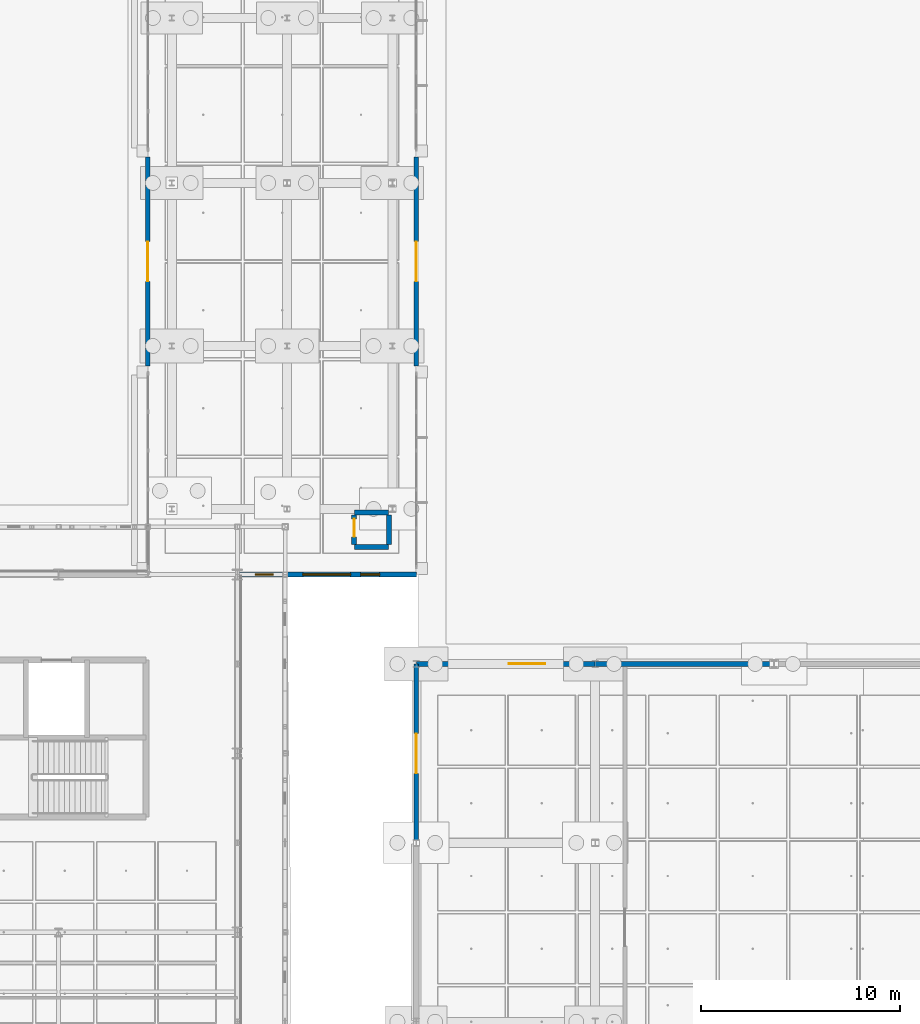
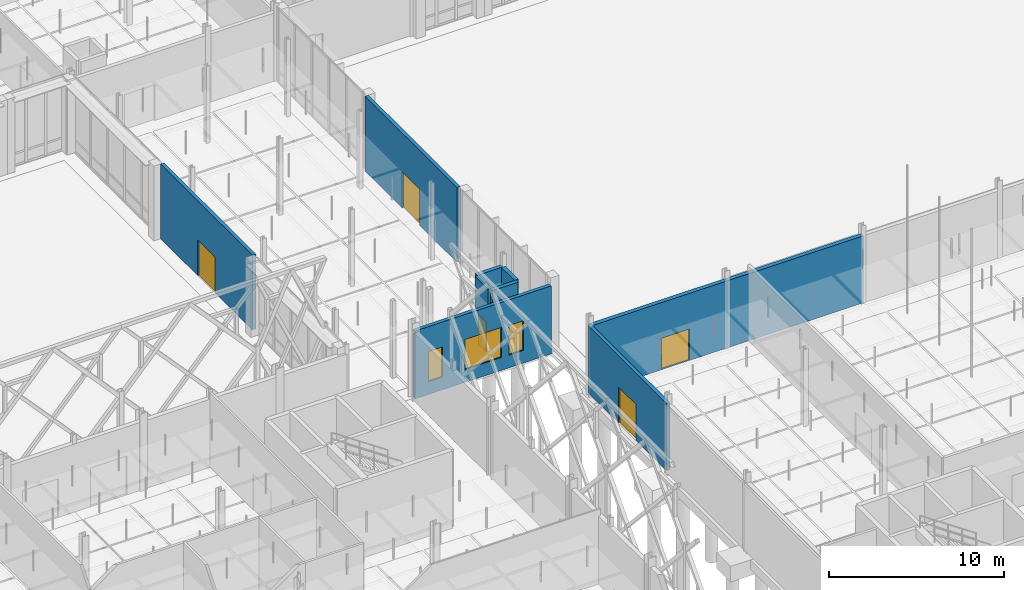
# One storey, part 97 of 180: 10 walls, 5 doors, 3 windows, 8 openings.
"""IFC4 building model written with IfcOpenShell, lengths in metres."""

import ifcopenshell
import ifcopenshell.guid

model = None  # the IFC model being written
_history = None  # IfcOwnerHistory: only IFC2X3 demands one
_inside = {}  # id of a spatial element -> (the spatial element, [elements in it])
_under = {}  # id of a project, library or spatial element -> (it, [spatial elements below it])
_declared = {}  # id of a project -> (the project, [libraries it declares])
_typed = {}  # id of a type object -> (the type object, [elements of that type])
_made_of = {}  # id of a material, layer set ... -> (it, [elements and type objects made of it])


def new_model(schema):
    """Start an empty IFC model of exactly this schema.

    Asked for "IFC4X3", IfcOpenShell would pick the latest addendum, in which some entities
    have other attributes; the version numbers below select the first issue.
    IFC2X3 requires an IfcOwnerHistory on every rooted entity: one is made here for all.
    """
    global model, _history
    if schema == "IFC4X3":
        model = ifcopenshell.file(schema_version=(4, 3, 0, 0))
    else:
        model = ifcopenshell.file(schema=schema)
    _inside.clear()
    _under.clear()
    _declared.clear()
    _typed.clear()
    _made_of.clear()
    _history = None
    if model.schema == "IFC2X3":
        org = make("IfcOrganization", Name="unknown")
        user = make(
            "IfcPersonAndOrganization",
            ThePerson=make("IfcPerson", FamilyName="unknown"),
            TheOrganization=org,
        )
        app = make(
            "IfcApplication",
            ApplicationDeveloper=org,
            Version="unknown",
            ApplicationFullName="unknown",
            ApplicationIdentifier="unknown",
        )
        _history = make(
            "IfcOwnerHistory",
            OwningUser=user,
            OwningApplication=app,
            ChangeAction="ADDED",
            CreationDate=0,
        )
    return model


def make(cls, **values):
    """One entity of the class cls with the attributes given. An attribute that is None is left unset."""
    return model.create_entity(
        cls, **{name: value for name, value in values.items() if value is not None}
    )


def rooted(cls, **values):
    """An entity with a GlobalId (a new one), such as an element, a storey or a relation."""
    return make(cls, GlobalId=ifcopenshell.guid.new(), OwnerHistory=_history, **values)


def si_unit(unit_type, name, prefix=None):
    """IfcSIUnit, for example si_unit("LENGTHUNIT", "METRE", prefix="MILLI")."""
    return make("IfcSIUnit", UnitType=unit_type, Prefix=prefix, Name=name)


def assignment(units):
    """IfcUnitAssignment: the units of a project."""
    return None if units is None else make("IfcUnitAssignment", Units=units)


def point(xyz):
    """IfcCartesianPoint."""
    return None if xyz is None else make("IfcCartesianPoint", Coordinates=xyz)


def direction(xyz):
    """IfcDirection."""
    return None if xyz is None else make("IfcDirection", DirectionRatios=xyz)


def frame(location, z_axis=None, x_axis=None):
    """IfcAxis2Placement3D, a coordinate frame: its origin and axes. An axis left out is left unset."""
    return make(
        "IfcAxis2Placement3D",
        Location=point(location),
        Axis=direction(z_axis),
        RefDirection=direction(x_axis),
    )


def frame_2d(location, x_axis=None):
    """IfcAxis2Placement2D, a coordinate frame in the plane: its origin and x axis."""
    return make(
        "IfcAxis2Placement2D", Location=point(location), RefDirection=direction(x_axis)
    )


def origin():
    """The frame at (0, 0, 0) with its axes left unset."""
    return frame((0.0, 0.0, 0.0))


def place(relative_to, where):
    """IfcLocalPlacement: puts the frame where relative to a parent placement (None: the world)."""
    return make(
        "IfcLocalPlacement", PlacementRelTo=relative_to, RelativePlacement=where
    )


def context(
    kind, dimensions, precision=None, world=None, true_north=None, identifier=None
):
    """IfcGeometricRepresentationContext, for example the 3D "Model" context."""
    return make(
        "IfcGeometricRepresentationContext",
        ContextIdentifier=identifier,
        ContextType=kind,
        CoordinateSpaceDimension=dimensions,
        Precision=precision,
        WorldCoordinateSystem=world,
        TrueNorth=true_north,
    )


def subcontext(parent, identifier, kind, view, scale=None):
    """IfcGeometricRepresentationSubContext, for example "Body" below "Model"."""
    return make(
        "IfcGeometricRepresentationSubContext",
        ContextIdentifier=identifier,
        ContextType=kind,
        ParentContext=parent,
        TargetScale=scale,
        TargetView=view,
    )


def project(units=None, contexts=None):
    """IfcProject with its units and contexts."""
    return rooted(
        "IfcProject",
        Name="project",
        RepresentationContexts=contexts,
        UnitsInContext=assignment(units),
    )


def spatial(cls, under=None, at=None, **own):
    """A site, building, storey or space (cls), placed at a placement, below another one or the project."""
    s = rooted(cls, ObjectPlacement=at, **own)
    if under is not None:
        _under.setdefault(under.id(), (under, []))[1].append(s)
    return s


def profile(cls, at=None, kind="AREA", **sizes):
    """A parametric profile (cls). Its sizes go by their IFC names, for example OverallWidth=200.0."""
    return make(cls, ProfileType=kind, Position=at, **sizes)


def rectangle(**sizes):
    """IfcRectangleProfileDef."""
    return profile("IfcRectangleProfileDef", **sizes)


def extrude(swept, where, along, depth):
    """IfcExtrudedAreaSolid: the profile swept, set in the frame where, extruded along a direction by depth."""
    return make(
        "IfcExtrudedAreaSolid",
        SweptArea=swept,
        Position=where,
        ExtrudedDirection=direction(along),
        Depth=depth,
    )


def shape(context_of_items, identifier, shape_type, items):
    """IfcShapeRepresentation: the items that make up one representation, for example the "Body"."""
    return make(
        "IfcShapeRepresentation",
        ContextOfItems=context_of_items,
        RepresentationIdentifier=identifier,
        RepresentationType=shape_type,
        Items=items,
    )


def material(Name=None, Category=None):
    """IfcMaterial."""
    return make("IfcMaterial", Name=Name, Category=Category)


def layer(
    of_material, thickness, ventilated=None, Name=None, Category=None, Priority=None
):
    """IfcMaterialLayer: one layer of a wall or slab, of a material (None: an air gap)."""
    return make(
        "IfcMaterialLayer",
        Material=of_material,
        LayerThickness=thickness,
        IsVentilated=ventilated,
        Name=Name,
        Category=Category,
        Priority=Priority,
    )


def layer_set(layers, Name=None):
    """IfcMaterialLayerSet."""
    return make("IfcMaterialLayerSet", MaterialLayers=layers, LayerSetName=Name)


def made_of(thing, what):
    """Note that an element or type object is made of a material, layer set ...; save() writes the relation."""
    if what is not None:
        _made_of.setdefault(what.id(), (what, []))[1].append(thing)
    return thing


def type_object(cls, material=None, **own):
    """A type object (cls), such as IfcWallType, which elements share."""
    return made_of(rooted(cls, **own), material)


def element(
    cls,
    number,
    at=None,
    inside=None,
    cuts=None,
    type_object=None,
    material=None,
    context=None,
    identifier="Body",
    shape_type=None,
    held_by="IfcProductDefinitionShape",
    body=None,
    shapes=None,
    **own,
):
    """One element of the class cls, such as IfcWall. Its Tag is "e" and its number.

    at: its placement. inside: the storey or other place that contains it. cuts: it is an
    opening in that element (IfcRelVoidsElement). A single representation is given by context,
    identifier, shape_type and body (its items); several are given by shapes. held_by: the class
    of the entity that holds the representations. save() writes the other relations.
    """
    e = rooted(cls, Tag="e%d" % number, ObjectPlacement=at, **own)
    if body is not None:
        shapes = [shape(context, identifier, shape_type, body)]
    if shapes is not None:
        e.Representation = make(held_by, Representations=shapes)
    if inside is not None:
        _inside.setdefault(inside.id(), (inside, []))[1].append(e)
    if cuts is not None:
        rooted(
            "IfcRelVoidsElement", RelatingBuildingElement=cuts, RelatedOpeningElement=e
        )
    if type_object is not None:
        _typed.setdefault(type_object.id(), (type_object, []))[1].append(e)
    return made_of(e, material)


def fill(opening, filler):
    """IfcRelFillsElement: the door or window that sits in an opening."""
    return rooted(
        "IfcRelFillsElement",
        RelatingOpeningElement=opening,
        RelatedBuildingElement=filler,
    )


def aggregate(whole, parts):
    """IfcRelAggregates: a whole, such as a stair, and the parts it consists of."""
    return rooted("IfcRelAggregates", RelatingObject=whole, RelatedObjects=parts)


def save(model, path):
    """Write the relations noted so far, then the file.

    IfcRelAggregates (storeys below a building ...), IfcRelContainedInSpatialStructure (elements
    in a storey), IfcRelDefinesByType, IfcRelAssociatesMaterial and IfcRelDeclares: one each for
    every whole, place, type object, material and project.
    """
    for whole, parts in _under.values():
        aggregate(whole, parts)
    for where, things in _inside.values():
        rooted(
            "IfcRelContainedInSpatialStructure",
            RelatedElements=things,
            RelatingStructure=where,
        )
    for kind, things in _typed.values():
        rooted("IfcRelDefinesByType", RelatedObjects=things, RelatingType=kind)
    for what, things in _made_of.values():
        rooted("IfcRelAssociatesMaterial", RelatedObjects=things, RelatingMaterial=what)
    for by, libraries in _declared.values():
        rooted("IfcRelDeclares", RelatingContext=by, RelatedDefinitions=libraries)
    model.write(path)


model = new_model("IFC4")

# Units and contexts
model_context = context("Model", 3, precision=1e-05, world=origin(), true_north=direction((0.0, 1.0)))
body_context = subcontext(model_context, "Body", "Model", "MODEL_VIEW")
ifc_project = project(units=[si_unit("LENGTHUNIT", "METRE"), si_unit("AREAUNIT", "SQUARE_METRE"), si_unit("VOLUMEUNIT", "CUBIC_METRE"), si_unit("PLANEANGLEUNIT", "RADIAN"), si_unit("MASSUNIT", "GRAM", prefix="KILO"), si_unit("THERMODYNAMICTEMPERATUREUNIT", "KELVIN"), si_unit("POWERUNIT", "WATT")], contexts=[model_context])

# Site, building, storey
site_placement = place(None, origin())
site = spatial("IfcSite", under=ifc_project, at=site_placement, CompositionType="ELEMENT")
building_placement = place(site_placement, origin())
building = spatial("IfcBuilding", under=site, at=building_placement, Name="Tallowbark Science Centre", CompositionType="ELEMENT")
storey_placement = place(building_placement, origin())
storey = spatial("IfcBuildingStorey", under=building, at=storey_placement, Name="L00", CompositionType="ELEMENT", Elevation=0.0)

# Wall, opening, door
ifc_material_1 = material(Name="Hawkesbury Sandstone Faced Masonry Cavity Wall", Category="masonry")
ifc_layer_1 = layer(ifc_material_1, 0.22998046875)
ifc_layer_set_1 = layer_set([ifc_layer_1], Name="Hawkesbury Sandstone Faced Masonry Cavity Wall")
wall_type_1 = type_object("IfcWallType", Name="EWL-MAS-230", PredefinedType="STANDARD", material=ifc_layer_set_1)
wall_1_placement = place(storey_placement, frame((112.5, 36.0, 0.0), z_axis=(0.0, 0.0, 1.0), x_axis=(0.0, -1.0, 0.0)))
wall_1 = element("IfcWall", 1, at=wall_1_placement, inside=storey, type_object=wall_type_1, Name="Exterior Wall THT-W-L00-3", PredefinedType="STANDARD", context=body_context, shape_type="SweptSolid", body=[
    extrude(rectangle(XDim=9.0, YDim=0.22998046875, at=frame_2d((4.5, 0.0))), origin(), (0.0, 0.0, 1.0), 4.68115234375),
])
opening_1_placement = place(wall_1_placement, frame((3.5, 0.0, 0.0)))
opening_1 = element("IfcOpeningElement", 2, at=opening_1_placement, cuts=wall_1, Name="Opening ED-02", PredefinedType="OPENING", context=body_context, shape_type="SweptSolid", body=[
    extrude(rectangle(XDim=2.0, YDim=2.5, at=frame_2d((1.0, 1.25))), frame((0.0, 0.125, 0.0), z_axis=(0.0, -1.0, 0.0), x_axis=(1.0, 0.0, 0.0)), (0.0, 0.0, 1.0), 0.25),
])
ifc_material_2 = material(Name="Thermally Broken Glazed Aluminium Frame", Category="aluminium")
door_type_1 = type_object("IfcDoorType", Name="EDR-GLZ-200", OperationType="DOUBLE_DOOR_SINGLE_SWING", PredefinedType="DOOR", material=ifc_material_2)
door_1_placement = place(opening_1_placement, origin())
door_1 = element("IfcDoor", 3, at=door_1_placement, inside=storey, type_object=door_type_1, Name="Exterior Door EDR-L00-020", OperationType="DOUBLE_DOOR_SINGLE_SWING", OverallHeight=2.5, OverallWidth=2.0, PredefinedType="DOOR", context=body_context, shape_type="SweptSolid", body=[
    extrude(rectangle(XDim=2.0, YDim=2.5, at=frame_2d((1.0, 1.25))), frame((0.0, 0.02490234375, 0.0), z_axis=(0.0, -1.0, 0.0), x_axis=(1.0, 0.0, 0.0)), (0.0, 0.0, 1.0), 0.050048828125),
])
fill(opening_1, door_1)

# Wall, openings, windows
wall_2_placement = place(storey_placement, frame((103.5, 40.5, 0.0), z_axis=(0.0, 0.0, 1.0), x_axis=(1.0, 0.0, 0.0)))
wall_2 = element("IfcWall", 4, at=wall_2_placement, inside=storey, type_object=wall_type_1, Name="Exterior Wall LNK-S-L00", PredefinedType="STANDARD", context=body_context, shape_type="SweptSolid", body=[
    extrude(rectangle(XDim=9.0, YDim=0.22998046875, at=frame_2d((4.5, 0.0))), origin(), (0.0, 0.0, 1.0), 4.74609375),
])
opening_2_placement = place(wall_2_placement, frame((3.300048828125, 0.0, 0.89990234375)))
opening_2 = element("IfcOpeningElement", 5, at=opening_2_placement, cuts=wall_2, Name="Opening W-06", PredefinedType="OPENING", context=body_context, shape_type="SweptSolid", body=[
    extrude(rectangle(XDim=2.39990234375, YDim=2.10009765625, at=frame_2d((1.199951171875, 1.050048828125))), frame((0.0, 0.125, 0.0), z_axis=(0.0, -1.0, 0.0), x_axis=(1.0, 0.0, 0.0)), (0.0, 0.0, 1.0), 0.25),
])
opening_3_placement = place(wall_2_placement, frame((0.89990234375, 0.0, 0.89990234375)))
opening_3 = element("IfcOpeningElement", 6, at=opening_3_placement, cuts=wall_2, Name="Opening W-01", PredefinedType="OPENING", context=body_context, shape_type="SweptSolid", body=[
    extrude(rectangle(XDim=0.89990234375, YDim=2.10009765625, at=frame_2d((0.449951171875, 1.050048828125))), frame((0.0, 0.125, 0.0), z_axis=(0.0, -1.0, 0.0), x_axis=(1.0, 0.0, 0.0)), (0.0, 0.0, 1.0), 0.25),
])
opening_4_placement = place(wall_2_placement, frame((6.199951171875, 0.0, 0.89990234375)))
opening_4 = element("IfcOpeningElement", 7, at=opening_4_placement, cuts=wall_2, Name="Opening WS-01", PredefinedType="OPENING", context=body_context, shape_type="SweptSolid", body=[
    extrude(rectangle(XDim=0.949951171875, YDim=2.050048828125, at=frame_2d((0.47509765625, 1.02490234375))), frame((0.0, 0.125, 0.0), z_axis=(0.0, -1.0, 0.0), x_axis=(1.0, 0.0, 0.0)), (0.0, 0.0, 1.0), 0.25),
])
ifc_material_3 = material(Name="Thermally Broken Aluminium and Low-E Double Glazing", Category="aluminium")
window_type_1 = type_object("IfcWindowType", Name="WIN-F090x210", PartitioningType="SINGLE_PANEL", PredefinedType="WINDOW", material=ifc_material_3)
window_1_placement = place(opening_3_placement, origin())
window_1 = element("IfcWindow", 8, at=window_1_placement, inside=storey, type_object=window_type_1, Name="Window XOP-01", OverallHeight=2.10009765625, OverallWidth=0.89990234375, PartitioningType="SINGLE_PANEL", PredefinedType="WINDOW", context=body_context, shape_type="SweptSolid", body=[
    extrude(rectangle(XDim=0.89990234375, YDim=2.10009765625, at=frame_2d((0.449951171875, 1.050048828125))), frame((0.0, 0.030029296875, 0.0), z_axis=(0.0, -1.0, 0.0), x_axis=(1.0, 0.0, 0.0)), (0.0, 0.0, 1.0), 0.06005859375),
])
fill(opening_3, window_1)
window_type_2 = type_object("IfcWindowType", Name="WIN-F240x210", PartitioningType="SINGLE_PANEL", PredefinedType="WINDOW", material=ifc_material_3)
window_2_placement = place(opening_2_placement, origin())
window_2 = element("IfcWindow", 9, at=window_2_placement, inside=storey, type_object=window_type_2, Name="Window WIN-L00-0019", OverallHeight=2.10009765625, OverallWidth=2.39990234375, PartitioningType="SINGLE_PANEL", PredefinedType="WINDOW", context=body_context, shape_type="SweptSolid", body=[
    extrude(rectangle(XDim=2.39990234375, YDim=2.10009765625, at=frame_2d((1.199951171875, 1.050048828125))), frame((0.0, 0.030029296875, 0.0), z_axis=(0.0, -1.0, 0.0), x_axis=(1.0, 0.0, 0.0)), (0.0, 0.0, 1.0), 0.06005859375),
])
fill(opening_2, window_2)
window_type_3 = type_object("IfcWindowType", Name="WIN-SP-095x205", PartitioningType="SINGLE_PANEL", PredefinedType="WINDOW", material=ifc_material_3)
window_3_placement = place(opening_4_placement, origin())
window_3 = element("IfcWindow", 10, at=window_3_placement, inside=storey, type_object=window_type_3, Name="Acoustic Window WSP-01", OverallHeight=2.050048828125, OverallWidth=0.949951171875, PartitioningType="SINGLE_PANEL", PredefinedType="WINDOW", context=body_context, shape_type="SweptSolid", body=[
    extrude(rectangle(XDim=0.949951171875, YDim=2.050048828125, at=frame_2d((0.47509765625, 1.02490234375))), frame((0.0, 0.030029296875, 0.0), z_axis=(0.0, -1.0, 0.0), x_axis=(1.0, 0.0, 0.0)), (0.0, 0.0, 1.0), 0.06005859375),
])
fill(opening_4, window_3)

# Wall, opening, door
wall_3_placement = place(storey_placement, frame((99.0, 61.5, 0.0), z_axis=(0.0, 0.0, 1.0), x_axis=(0.0, -1.0, 0.0)))
wall_3 = element("IfcWall", 11, at=wall_3_placement, inside=storey, type_object=wall_type_1, Name="Exterior Wall LNK-W-L00-1", PredefinedType="STANDARD", context=body_context, shape_type="SweptSolid", body=[
    extrude(rectangle(XDim=10.5, YDim=0.22998046875, at=frame_2d((5.25, 0.0))), origin(), (0.0, 0.0, 1.0), 5.219970703125),
])
opening_5_placement = place(wall_3_placement, frame((4.25, 0.0, 0.0)))
opening_5 = element("IfcOpeningElement", 12, at=opening_5_placement, cuts=wall_3, Name="Opening ED-02", PredefinedType="OPENING", context=body_context, shape_type="SweptSolid", body=[
    extrude(rectangle(XDim=2.0, YDim=2.5, at=frame_2d((1.0, 1.25))), frame((0.0, 0.125, 0.0), z_axis=(0.0, -1.0, 0.0), x_axis=(1.0, 0.0, 0.0)), (0.0, 0.0, 1.0), 0.25),
])
door_2_placement = place(opening_5_placement, origin())
door_2 = element("IfcDoor", 13, at=door_2_placement, inside=storey, type_object=door_type_1, Name="Exterior Door EDR-L00-023", OperationType="DOUBLE_DOOR_SINGLE_SWING", OverallHeight=2.5, OverallWidth=2.0, PredefinedType="DOOR", context=body_context, shape_type="SweptSolid", body=[
    extrude(rectangle(XDim=2.0, YDim=2.5, at=frame_2d((1.0, 1.25))), frame((0.0, 0.02490234375, 0.0), z_axis=(0.0, -1.0, 0.0), x_axis=(1.0, 0.0, 0.0)), (0.0, 0.0, 1.0), 0.050048828125),
])
fill(opening_5, door_2)

wall_4_placement = place(storey_placement, frame((112.5, 51.0, 0.0), z_axis=(0.0, 0.0, 1.0), x_axis=(0.0, 1.0, 0.0)))
wall_4 = element("IfcWall", 14, at=wall_4_placement, inside=storey, type_object=wall_type_1, Name="Exterior Wall LNK-E-L00-1", PredefinedType="STANDARD", context=body_context, shape_type="SweptSolid", body=[
    extrude(rectangle(XDim=10.5, YDim=0.22998046875, at=frame_2d((5.25, 0.0))), origin(), (0.0, 0.0, 1.0), 5.219970703125),
])
opening_6_placement = place(wall_4_placement, frame((4.25, 0.0, 0.0)))
opening_6 = element("IfcOpeningElement", 15, at=opening_6_placement, cuts=wall_4, Name="Opening ED-02", PredefinedType="OPENING", context=body_context, shape_type="SweptSolid", body=[
    extrude(rectangle(XDim=2.0, YDim=2.5, at=frame_2d((1.0, 1.25))), frame((0.0, 0.125, 0.0), z_axis=(0.0, -1.0, 0.0), x_axis=(1.0, 0.0, 0.0)), (0.0, 0.0, 1.0), 0.25),
])
door_3_placement = place(opening_6_placement, origin())
door_3 = element("IfcDoor", 16, at=door_3_placement, inside=storey, type_object=door_type_1, Name="Exterior Door EDR-L00-024", OperationType="DOUBLE_DOOR_SINGLE_SWING", OverallHeight=2.5, OverallWidth=2.0, PredefinedType="DOOR", context=body_context, shape_type="SweptSolid", body=[
    extrude(rectangle(XDim=2.0, YDim=2.5, at=frame_2d((1.0, 1.25))), frame((0.0, 0.02490234375, 0.0), z_axis=(0.0, -1.0, 0.0), x_axis=(1.0, 0.0, 0.0)), (0.0, 0.0, 1.0), 0.050048828125),
])
fill(opening_6, door_3)

ifc_material_4 = material(Name="Insulated Ribbed Precast Concrete Panel Grade N40 (40 MPa)", Category="concrete")
ifc_layer_2 = layer(ifc_material_4, 0.264892578125)
ifc_layer_set_2 = layer_set([ifc_layer_2], Name="Insulated Ribbed Precast Concrete Panel Grade N40 (40 MPa)")
wall_type_2 = type_object("IfcWallType", Name="EWL-PRC-265", PredefinedType="STANDARD", material=ifc_layer_set_2)
wall_5_placement = place(storey_placement, frame((121.5, 36.0, 0.0), z_axis=(0.0, 0.0, 1.0), x_axis=(-1.0, 0.0, 0.0)))
wall_5 = element("IfcWall", 17, at=wall_5_placement, inside=storey, type_object=wall_type_2, Name="Exterior Wall THT-N-L00-0", PredefinedType="STANDARD", context=body_context, shape_type="SweptSolid", body=[
    extrude(rectangle(XDim=9.0, YDim=0.264892578125, at=frame_2d((4.5, 0.0))), origin(), (0.0, 0.0, 1.0), 4.68115234375),
])
opening_7_placement = place(wall_5_placement, frame((2.5, 0.0, 0.0)))
opening_7 = element("IfcOpeningElement", 18, at=opening_7_placement, cuts=wall_5, Name="Opening ED-07", PredefinedType="OPENING", context=body_context, shape_type="SweptSolid", body=[
    extrude(rectangle(XDim=1.85009765625, YDim=2.199951171875, at=frame_2d((0.925048828125, 1.10009765625))), frame((0.0, 0.142578125, 0.0), z_axis=(0.0, -1.0, 0.0), x_axis=(1.0, 0.0, 0.0)), (0.0, 0.0, 1.0), 0.284912109375),
])
ifc_material_5 = material(Name="Powdercoated Galvanised Steel Leaf", Category="steel")
door_type_2 = type_object("IfcDoorType", Name="EDR-ESC-185", OperationType="DOUBLE_DOOR_SINGLE_SWING", PredefinedType="DOOR", material=ifc_material_5)
door_4_placement = place(opening_7_placement, origin())
door_4 = element("IfcDoor", 19, at=door_4_placement, inside=storey, type_object=door_type_2, Name="Exterior Door EDR-L00-014", OperationType="DOUBLE_DOOR_SINGLE_SWING", OverallHeight=2.199951171875, OverallWidth=1.85009765625, PredefinedType="DOOR", context=body_context, shape_type="SweptSolid", body=[
    extrude(rectangle(XDim=1.85009765625, YDim=2.199951171875, at=frame_2d((0.925048828125, 1.10009765625))), frame((0.0, 0.02490234375, 0.0), z_axis=(0.0, -1.0, 0.0), x_axis=(1.0, 0.0, 0.0)), (0.0, 0.0, 1.0), 0.050048828125),
])
fill(opening_7, door_4)

# Walls
wall_6_placement = place(storey_placement, frame((130.5, 36.0, 0.0), z_axis=(0.0, 0.0, 1.0), x_axis=(-1.0, 0.0, 0.0)))
element("IfcWall", 20, at=wall_6_placement, inside=storey, type_object=wall_type_2, Name="Exterior Wall THT-N-L00-1", PredefinedType="STANDARD", context=body_context, shape_type="SweptSolid", body=[
    extrude(rectangle(XDim=9.0, YDim=0.264892578125, at=frame_2d((4.5, 0.0))), origin(), (0.0, 0.0, 1.0), 4.68115234375),
])
ifc_material_6 = material(Name="Concrete Grade N40 (40 MPa)", Category="concrete")
ifc_layer_3 = layer(ifc_material_6, 0.25)
ifc_layer_set_3 = layer_set([ifc_layer_3], Name="Concrete Grade N40 (40 MPa)")
wall_type_3 = type_object("IfcWallType", Name="WL-SHAFT-250", PredefinedType="SHEAR", material=ifc_layer_set_3)
for number, where, z_axis, x_axis, name in (
    (21, (109.39990234375, 41.875, 0.0), (0.0, 0.0, 1.0), (1.0, 0.0, 0.0), "Service Riser Shaft Wall RSR-LNK L00 S"),
    (22, (109.39990234375, 43.625, 0.0), (0.0, 0.0, 1.0), (1.0, 0.0, 0.0), "Service Riser Shaft Wall RSR-LNK L00 N"),
):
    element("IfcWall", number, at=place(storey_placement, frame(where, z_axis=z_axis, x_axis=x_axis)), inside=storey, type_object=wall_type_3, Name=name, PredefinedType="SHEAR", context=body_context, shape_type="SweptSolid", body=[
        extrude(rectangle(XDim=1.7001953125, YDim=0.25, at=frame_2d((0.85009765625, 0.0))), origin(), (0.0, 0.0, 1.0), 4.669921875),
    ])

# Wall, opening, door
wall_7_placement = place(storey_placement, frame((109.375, 42.0, 0.0), z_axis=(0.0, 0.0, 1.0), x_axis=(0.0, 1.0, 0.0)))
wall_7 = element("IfcWall", 23, at=wall_7_placement, inside=storey, type_object=wall_type_3, Name="Service Riser Shaft Wall RSR-LNK L00 W", PredefinedType="SHEAR", context=body_context, shape_type="SweptSolid", body=[
    extrude(rectangle(XDim=1.5, YDim=0.25, at=frame_2d((0.75, 0.0))), origin(), (0.0, 0.0, 1.0), 4.669921875),
])
opening_8_placement = place(wall_7_placement, frame((0.39990234375, 0.0, 0.0)))
opening_8 = element("IfcOpeningElement", 24, at=opening_8_placement, cuts=wall_7, Name="Opening FD-05", PredefinedType="OPENING", context=body_context, shape_type="SweptSolid", body=[
    extrude(rectangle(XDim=0.89990234375, YDim=2.10009765625, at=frame_2d((0.449951171875, 1.050048828125))), frame((0.0, 0.135009765625, 0.0), z_axis=(0.0, -1.0, 0.0), x_axis=(1.0, 0.0, 0.0)), (0.0, 0.0, 1.0), 0.27001953125),
])
ifc_material_7 = material(Name="Fire-Rated Riser Access Door")
door_type_3 = type_object("IfcDoorType", Name="FDR-RIS-090", OperationType="NOTDEFINED", PredefinedType="DOOR", material=ifc_material_7)
door_5_placement = place(opening_8_placement, origin())
door_5 = element("IfcDoor", 25, at=door_5_placement, inside=storey, type_object=door_type_3, Name="Service Riser Access Door 3", OperationType="SINGLE_SWING_LEFT", OverallHeight=2.10009765625, OverallWidth=0.89990234375, PredefinedType="DOOR", context=body_context, shape_type="SweptSolid", body=[
    extrude(rectangle(XDim=0.89990234375, YDim=2.10009765625, at=frame_2d((0.449951171875, 1.050048828125))), frame((0.0, 0.02490234375, 0.0), z_axis=(0.0, -1.0, 0.0), x_axis=(1.0, 0.0, 0.0)), (0.0, 0.0, 1.0), 0.050048828125),
])
fill(opening_8, door_5)

# Wall
wall_8_placement = place(storey_placement, frame((111.125, 42.0, 0.0), z_axis=(0.0, 0.0, 1.0), x_axis=(0.0, 1.0, 0.0)))
element("IfcWall", 26, at=wall_8_placement, inside=storey, type_object=wall_type_3, Name="Service Riser Shaft Wall RSR-LNK L00 E", PredefinedType="SHEAR", context=body_context, shape_type="SweptSolid", body=[
    extrude(rectangle(XDim=1.5, YDim=0.25, at=frame_2d((0.75, 0.0))), origin(), (0.0, 0.0, 1.0), 4.669921875),
])

save(model, "model.ifc")
